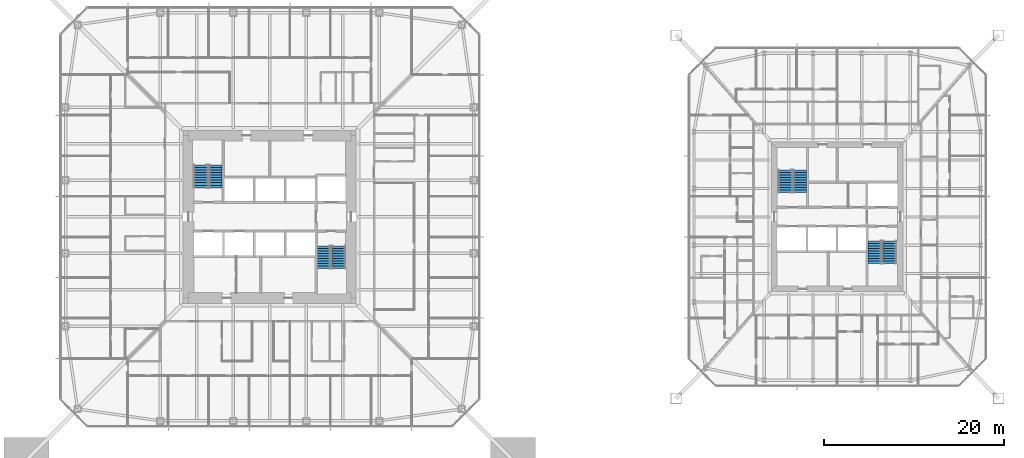
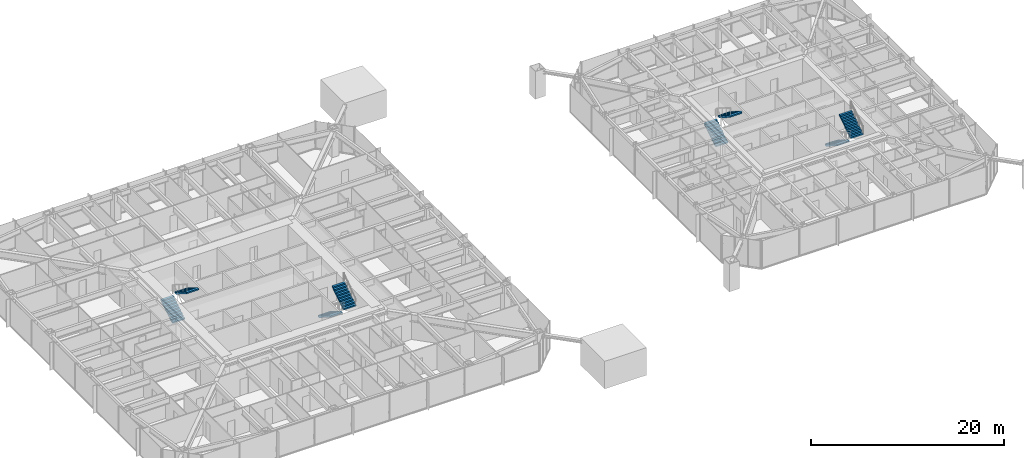
# One storey, part 22 of 26: 8 stair flights, 4 elements without a shape of their own.
"""IFC4 building model written with IfcOpenShell, lengths in metres."""

import ifcopenshell
import ifcopenshell.guid

model = None  # the IFC model being written
_history = None  # IfcOwnerHistory: only IFC2X3 demands one
_inside = {}  # id of a spatial element -> (the spatial element, [elements in it])
_under = {}  # id of a project, library or spatial element -> (it, [spatial elements below it])
_declared = {}  # id of a project -> (the project, [libraries it declares])
_typed = {}  # id of a type object -> (the type object, [elements of that type])
_made_of = {}  # id of a material, layer set ... -> (it, [elements and type objects made of it])


def new_model(schema):
    """Start an empty IFC model of exactly this schema.

    Asked for "IFC4X3", IfcOpenShell would pick the latest addendum, in which some entities
    have other attributes; the version numbers below select the first issue.
    IFC2X3 requires an IfcOwnerHistory on every rooted entity: one is made here for all.
    """
    global model, _history
    if schema == "IFC4X3":
        model = ifcopenshell.file(schema_version=(4, 3, 0, 0))
    else:
        model = ifcopenshell.file(schema=schema)
    _inside.clear()
    _under.clear()
    _declared.clear()
    _typed.clear()
    _made_of.clear()
    _history = None
    if model.schema == "IFC2X3":
        org = make("IfcOrganization", Name="unknown")
        user = make(
            "IfcPersonAndOrganization",
            ThePerson=make("IfcPerson", FamilyName="unknown"),
            TheOrganization=org,
        )
        app = make(
            "IfcApplication",
            ApplicationDeveloper=org,
            Version="unknown",
            ApplicationFullName="unknown",
            ApplicationIdentifier="unknown",
        )
        _history = make(
            "IfcOwnerHistory",
            OwningUser=user,
            OwningApplication=app,
            ChangeAction="ADDED",
            CreationDate=0,
        )
    return model


def make(cls, **values):
    """One entity of the class cls with the attributes given. An attribute that is None is left unset."""
    return model.create_entity(
        cls, **{name: value for name, value in values.items() if value is not None}
    )


def rooted(cls, **values):
    """An entity with a GlobalId (a new one), such as an element, a storey or a relation."""
    return make(cls, GlobalId=ifcopenshell.guid.new(), OwnerHistory=_history, **values)


def si_unit(unit_type, name, prefix=None):
    """IfcSIUnit, for example si_unit("LENGTHUNIT", "METRE", prefix="MILLI")."""
    return make("IfcSIUnit", UnitType=unit_type, Prefix=prefix, Name=name)


def assignment(units):
    """IfcUnitAssignment: the units of a project."""
    return None if units is None else make("IfcUnitAssignment", Units=units)


def point(xyz):
    """IfcCartesianPoint."""
    return None if xyz is None else make("IfcCartesianPoint", Coordinates=xyz)


def direction(xyz):
    """IfcDirection."""
    return None if xyz is None else make("IfcDirection", DirectionRatios=xyz)


def frame(location, z_axis=None, x_axis=None):
    """IfcAxis2Placement3D, a coordinate frame: its origin and axes. An axis left out is left unset."""
    return make(
        "IfcAxis2Placement3D",
        Location=point(location),
        Axis=direction(z_axis),
        RefDirection=direction(x_axis),
    )


def origin():
    """The frame at (0, 0, 0) with its axes left unset."""
    return frame((0.0, 0.0, 0.0))


def place(relative_to, where):
    """IfcLocalPlacement: puts the frame where relative to a parent placement (None: the world)."""
    return make(
        "IfcLocalPlacement", PlacementRelTo=relative_to, RelativePlacement=where
    )


def context(
    kind, dimensions, precision=None, world=None, true_north=None, identifier=None
):
    """IfcGeometricRepresentationContext, for example the 3D "Model" context."""
    return make(
        "IfcGeometricRepresentationContext",
        ContextIdentifier=identifier,
        ContextType=kind,
        CoordinateSpaceDimension=dimensions,
        Precision=precision,
        WorldCoordinateSystem=world,
        TrueNorth=true_north,
    )


def subcontext(parent, identifier, kind, view, scale=None):
    """IfcGeometricRepresentationSubContext, for example "Body" below "Model"."""
    return make(
        "IfcGeometricRepresentationSubContext",
        ContextIdentifier=identifier,
        ContextType=kind,
        ParentContext=parent,
        TargetScale=scale,
        TargetView=view,
    )


def project(units=None, contexts=None):
    """IfcProject with its units and contexts."""
    return rooted(
        "IfcProject",
        Name="project",
        RepresentationContexts=contexts,
        UnitsInContext=assignment(units),
    )


def spatial(cls, under=None, at=None, **own):
    """A site, building, storey or space (cls), placed at a placement, below another one or the project."""
    s = rooted(cls, ObjectPlacement=at, **own)
    if under is not None:
        _under.setdefault(under.id(), (under, []))[1].append(s)
    return s


def polyline(points):
    """IfcPolyline through the points."""
    return make("IfcPolyline", Points=[point(p) for p in points])


def outline(outer, holes=None, kind="AREA"):
    """IfcArbitraryClosedProfileDef: a profile drawn as a closed curve; with holes, ...WithVoids."""
    if holes is None:
        return make("IfcArbitraryClosedProfileDef", ProfileType=kind, OuterCurve=outer)
    return make(
        "IfcArbitraryProfileDefWithVoids",
        ProfileType=kind,
        OuterCurve=outer,
        InnerCurves=holes,
    )


def extrude(swept, where, along, depth):
    """IfcExtrudedAreaSolid: the profile swept, set in the frame where, extruded along a direction by depth."""
    return make(
        "IfcExtrudedAreaSolid",
        SweptArea=swept,
        Position=where,
        ExtrudedDirection=direction(along),
        Depth=depth,
    )


def shape(context_of_items, identifier, shape_type, items):
    """IfcShapeRepresentation: the items that make up one representation, for example the "Body"."""
    return make(
        "IfcShapeRepresentation",
        ContextOfItems=context_of_items,
        RepresentationIdentifier=identifier,
        RepresentationType=shape_type,
        Items=items,
    )


def material(Name=None, Category=None):
    """IfcMaterial."""
    return make("IfcMaterial", Name=Name, Category=Category)


def constituent(of_material, Name=None, Category=None, fraction=None):
    """IfcMaterialConstituent: one of the materials an element consists of."""
    return make(
        "IfcMaterialConstituent",
        Name=Name,
        Material=of_material,
        Fraction=fraction,
        Category=Category,
    )


def constituent_set(constituents=None, Name=None):
    """IfcMaterialConstituentSet."""
    return make(
        "IfcMaterialConstituentSet", Name=Name, MaterialConstituents=constituents
    )


def made_of(thing, what):
    """Note that an element or type object is made of a material, layer set ...; save() writes the relation."""
    if what is not None:
        _made_of.setdefault(what.id(), (what, []))[1].append(thing)
    return thing


def type_object(cls, material=None, **own):
    """A type object (cls), such as IfcWallType, which elements share."""
    return made_of(rooted(cls, **own), material)


def element(
    cls,
    number,
    at=None,
    inside=None,
    cuts=None,
    type_object=None,
    material=None,
    context=None,
    identifier="Body",
    shape_type=None,
    held_by="IfcProductDefinitionShape",
    body=None,
    shapes=None,
    **own,
):
    """One element of the class cls, such as IfcWall. Its Tag is "e" and its number.

    at: its placement. inside: the storey or other place that contains it. cuts: it is an
    opening in that element (IfcRelVoidsElement). A single representation is given by context,
    identifier, shape_type and body (its items); several are given by shapes. held_by: the class
    of the entity that holds the representations. save() writes the other relations.
    """
    e = rooted(cls, Tag="e%d" % number, ObjectPlacement=at, **own)
    if body is not None:
        shapes = [shape(context, identifier, shape_type, body)]
    if shapes is not None:
        e.Representation = make(held_by, Representations=shapes)
    if inside is not None:
        _inside.setdefault(inside.id(), (inside, []))[1].append(e)
    if cuts is not None:
        rooted(
            "IfcRelVoidsElement", RelatingBuildingElement=cuts, RelatedOpeningElement=e
        )
    if type_object is not None:
        _typed.setdefault(type_object.id(), (type_object, []))[1].append(e)
    return made_of(e, material)


def aggregate(whole, parts):
    """IfcRelAggregates: a whole, such as a stair, and the parts it consists of."""
    return rooted("IfcRelAggregates", RelatingObject=whole, RelatedObjects=parts)


def save(model, path):
    """Write the relations noted so far, then the file.

    IfcRelAggregates (storeys below a building ...), IfcRelContainedInSpatialStructure (elements
    in a storey), IfcRelDefinesByType, IfcRelAssociatesMaterial and IfcRelDeclares: one each for
    every whole, place, type object, material and project.
    """
    for whole, parts in _under.values():
        aggregate(whole, parts)
    for where, things in _inside.values():
        rooted(
            "IfcRelContainedInSpatialStructure",
            RelatedElements=things,
            RelatingStructure=where,
        )
    for kind, things in _typed.values():
        rooted("IfcRelDefinesByType", RelatedObjects=things, RelatingType=kind)
    for what, things in _made_of.values():
        rooted("IfcRelAssociatesMaterial", RelatedObjects=things, RelatingMaterial=what)
    for by, libraries in _declared.values():
        rooted("IfcRelDeclares", RelatingContext=by, RelatedDefinitions=libraries)
    model.write(path)


model = new_model("IFC4")

# Units and contexts
model_context = context("Model", 3, precision=1e-05, world=origin(), true_north=direction((0.0, 1.0)))
body_context = subcontext(model_context, "Body", "Model", "MODEL_VIEW")
ifc_project = project(units=[si_unit("LENGTHUNIT", "METRE"), si_unit("AREAUNIT", "SQUARE_METRE"), si_unit("VOLUMEUNIT", "CUBIC_METRE"), si_unit("PLANEANGLEUNIT", "RADIAN"), si_unit("MASSUNIT", "GRAM", prefix="KILO")], contexts=[model_context])

# Site, building, storey
site_placement = place(None, origin())
site = spatial("IfcSite", under=ifc_project, at=site_placement, CompositionType="ELEMENT")
building_placement = place(site_placement, origin())
building = spatial("IfcBuilding", under=site, at=building_placement, Name="Iwan Alto Co-Living Towers", CompositionType="ELEMENT")
storey_placement = place(building_placement, frame((0.0, 0.0, 60.5)))
storey = spatial("IfcBuildingStorey", under=building, at=storey_placement, Name="L16", CompositionType="ELEMENT", Elevation=60.5)

# Stair, stair flights
ifc_material_1 = material(Name="Steel ASTM A36", Category="steel")
ifc_constituent_1 = constituent(ifc_material_1, Name="Stringers", Category="LoadBearing")
ifc_material_2 = material(Name="Concrete f'c 30 MPa", Category="concrete")
ifc_constituent_2 = constituent(ifc_material_2, Name="Tread fill", Category="Finish")
ifc_constituent_set_1 = constituent_set(constituents=[ifc_constituent_1, ifc_constituent_2], Name="STAIR 3500 TWO-FLIGHT T1 CORE")
stair_type_1 = type_object("IfcStairType", Name="STAIR 3500 TWO-FLIGHT T1 CORE", PredefinedType="HALF_TURN_STAIR", material=ifc_constituent_set_1)
stair_1_placement = place(storey_placement, origin())
stair_1 = element("IfcStair", 1, at=stair_1_placement, inside=storey, type_object=stair_type_1, Name="Stair T1-S1 L16 to L17", PredefinedType="HALF_TURN_STAIR")
ifc_constituent_3 = constituent(ifc_material_1, Name="Stringers", Category="LoadBearing")
ifc_constituent_4 = constituent(ifc_material_2, Name="Tread fill", Category="Finish")
ifc_constituent_set_2 = constituent_set(constituents=[ifc_constituent_3, ifc_constituent_4], Name="STAIR FLIGHT 10 RISERS 280 GOING")
stair_flight_type = type_object("IfcStairFlightType", Name="STAIR FLIGHT 10 RISERS 280 GOING", PredefinedType="STRAIGHT", material=ifc_constituent_set_2)
stair_flight_1_placement = place(storey_placement, frame((-7.68994140625, 3.219970703125, 0.0), z_axis=(0.0, 0.0, 1.0), x_axis=(0.0, 1.0, 0.0)))
stair_flight_1 = element("IfcStairFlight", 2, at=stair_flight_1_placement, type_object=stair_flight_type, Name="T1-S1 flight 1", NumberOfRisers=10, NumberOfTreads=9, PredefinedType="STRAIGHT", RiserHeight=0.175, TreadLength=0.28, context=body_context, shape_type="SweptSolid", body=[
    extrude(outline(polyline([(0.0, 0.0), (0.0, 0.175048828125), (0.280029296875, 0.175048828125), (0.280029296875, 0.35009765625), (0.56005859375, 0.35009765625), (0.56005859375, 0.52490234375), (0.840087890625, 0.52490234375), (0.840087890625, 0.699951171875), (1.1201171875, 0.699951171875), (1.1201171875, 0.875), (1.39990234375, 0.875), (1.39990234375, 1.050048828125), (1.679931640625, 1.050048828125), (1.679931640625, 1.22509765625), (1.9599609375, 1.22509765625), (1.9599609375, 1.39990234375), (2.239990234375, 1.39990234375), (2.239990234375, 1.574951171875), (2.52001953125, 1.574951171875), (2.52001953125, 1.75), (2.52001953125, 1.398193359375), (0.28271484375, 0.0), (0.0, 0.0)])), frame((0.0, 0.739990234375, 0.0), z_axis=(0.0, -1.0, 0.0), x_axis=(1.0, 0.0, 0.0)), (0.0, 0.0, 1.0), 1.47998046875),
])
stair_flight_2_placement = place(storey_placement, frame((-6.010009765625, 5.739990234375, 1.75), z_axis=(0.0, 0.0, 1.0), x_axis=(0.0, -1.0, 0.0)))
stair_flight_2 = element("IfcStairFlight", 3, at=stair_flight_2_placement, type_object=stair_flight_type, Name="T1-S1 flight 2", NumberOfRisers=10, NumberOfTreads=9, PredefinedType="STRAIGHT", RiserHeight=0.175, TreadLength=0.28, context=body_context, shape_type="SweptSolid", body=[
    extrude(outline(polyline([(0.0, 0.0), (0.0, 0.175048828125), (0.280029296875, 0.175048828125), (0.280029296875, 0.35009765625), (0.56005859375, 0.35009765625), (0.56005859375, 0.52490234375), (0.840087890625, 0.52490234375), (0.840087890625, 0.699951171875), (1.1201171875, 0.699951171875), (1.1201171875, 0.875), (1.39990234375, 0.875), (1.39990234375, 1.050048828125), (1.679931640625, 1.050048828125), (1.679931640625, 1.22509765625), (1.9599609375, 1.22509765625), (1.9599609375, 1.39990234375), (2.239990234375, 1.39990234375), (2.239990234375, 1.574951171875), (2.52001953125, 1.574951171875), (2.52001953125, 1.75), (2.52001953125, 1.398193359375), (0.28271484375, 0.0), (0.0, 0.0)])), frame((0.0, 0.739990234375, 0.0), z_axis=(0.0, -1.0, 0.0), x_axis=(1.0, 0.0, 0.0)), (0.0, 0.0, 1.0), 1.47998046875),
])
aggregate(stair_1, [stair_flight_1, stair_flight_2])

stair_2_placement = place(storey_placement, origin())
stair_2 = element("IfcStair", 4, at=stair_2_placement, inside=storey, type_object=stair_type_1, Name="Stair T1-S2 L16 to L17", PredefinedType="HALF_TURN_STAIR")
stair_flight_3_placement = place(storey_placement, frame((6.010009765625, -3.219970703125, 0.0), z_axis=(0.0, 0.0, 1.0), x_axis=(0.0, -1.0, 0.0)))
stair_flight_3 = element("IfcStairFlight", 5, at=stair_flight_3_placement, type_object=stair_flight_type, Name="T1-S2 flight 1", NumberOfRisers=10, NumberOfTreads=9, PredefinedType="STRAIGHT", RiserHeight=0.175, TreadLength=0.28, context=body_context, shape_type="SweptSolid", body=[
    extrude(outline(polyline([(0.0, 0.0), (0.0, 0.175048828125), (0.280029296875, 0.175048828125), (0.280029296875, 0.35009765625), (0.56005859375, 0.35009765625), (0.56005859375, 0.52490234375), (0.840087890625, 0.52490234375), (0.840087890625, 0.699951171875), (1.1201171875, 0.699951171875), (1.1201171875, 0.875), (1.39990234375, 0.875), (1.39990234375, 1.050048828125), (1.679931640625, 1.050048828125), (1.679931640625, 1.22509765625), (1.9599609375, 1.22509765625), (1.9599609375, 1.39990234375), (2.239990234375, 1.39990234375), (2.239990234375, 1.574951171875), (2.52001953125, 1.574951171875), (2.52001953125, 1.75), (2.52001953125, 1.398193359375), (0.28271484375, 0.0), (0.0, 0.0)])), frame((0.0, 0.739990234375, 0.0), z_axis=(0.0, -1.0, 0.0), x_axis=(1.0, 0.0, 0.0)), (0.0, 0.0, 1.0), 1.47998046875),
])
stair_flight_4_placement = place(storey_placement, frame((7.68994140625, -5.739990234375, 1.75), z_axis=(0.0, 0.0, 1.0), x_axis=(0.0, 1.0, 0.0)))
stair_flight_4 = element("IfcStairFlight", 6, at=stair_flight_4_placement, type_object=stair_flight_type, Name="T1-S2 flight 2", NumberOfRisers=10, NumberOfTreads=9, PredefinedType="STRAIGHT", RiserHeight=0.175, TreadLength=0.28, context=body_context, shape_type="SweptSolid", body=[
    extrude(outline(polyline([(0.0, 0.0), (0.0, 0.175048828125), (0.280029296875, 0.175048828125), (0.280029296875, 0.35009765625), (0.56005859375, 0.35009765625), (0.56005859375, 0.52490234375), (0.840087890625, 0.52490234375), (0.840087890625, 0.699951171875), (1.1201171875, 0.699951171875), (1.1201171875, 0.875), (1.39990234375, 0.875), (1.39990234375, 1.050048828125), (1.679931640625, 1.050048828125), (1.679931640625, 1.22509765625), (1.9599609375, 1.22509765625), (1.9599609375, 1.39990234375), (2.239990234375, 1.39990234375), (2.239990234375, 1.574951171875), (2.52001953125, 1.574951171875), (2.52001953125, 1.75), (2.52001953125, 1.398193359375), (0.28271484375, 0.0), (0.0, 0.0)])), frame((0.0, 0.739990234375, 0.0), z_axis=(0.0, -1.0, 0.0), x_axis=(1.0, 0.0, 0.0)), (0.0, 0.0, 1.0), 1.47998046875),
])
aggregate(stair_2, [stair_flight_3, stair_flight_4])

ifc_constituent_5 = constituent(ifc_material_1, Name="Stringers", Category="LoadBearing")
ifc_constituent_6 = constituent(ifc_material_2, Name="Tread fill", Category="Finish")
ifc_constituent_set_3 = constituent_set(constituents=[ifc_constituent_5, ifc_constituent_6], Name="STAIR 3500 TWO-FLIGHT T2 CORE")
stair_type_2 = type_object("IfcStairType", Name="STAIR 3500 TWO-FLIGHT T2 CORE", PredefinedType="HALF_TURN_STAIR", material=ifc_constituent_set_3)
stair_3_placement = place(storey_placement, origin())
stair_3 = element("IfcStair", 7, at=stair_3_placement, inside=storey, type_object=stair_type_2, Name="Stair T2-S1 L16 to L17", PredefinedType="HALF_TURN_STAIR")
stair_flight_5_placement = place(storey_placement, frame((57.159912109375, 2.669921875, 0.0), z_axis=(0.0, 0.0, 1.0), x_axis=(0.0, 1.0, 0.0)))
stair_flight_5 = element("IfcStairFlight", 8, at=stair_flight_5_placement, type_object=stair_flight_type, Name="T2-S1 flight 1", NumberOfRisers=10, NumberOfTreads=9, PredefinedType="STRAIGHT", RiserHeight=0.175, TreadLength=0.28, context=body_context, shape_type="SweptSolid", body=[
    extrude(outline(polyline([(0.0, 0.0), (0.0, 0.175048828125), (0.280029296875, 0.175048828125), (0.280029296875, 0.35009765625), (0.56005859375, 0.35009765625), (0.56005859375, 0.52490234375), (0.840087890625, 0.52490234375), (0.840087890625, 0.699951171875), (1.1201171875, 0.699951171875), (1.1201171875, 0.875), (1.39990234375, 0.875), (1.39990234375, 1.050048828125), (1.679931640625, 1.050048828125), (1.679931640625, 1.22509765625), (1.9599609375, 1.22509765625), (1.9599609375, 1.39990234375), (2.239990234375, 1.39990234375), (2.239990234375, 1.574951171875), (2.52001953125, 1.574951171875), (2.52001953125, 1.75), (2.52001953125, 1.398193359375), (0.28271484375, 0.0), (0.0, 0.0)])), frame((0.0, 0.739990234375, 0.0), z_axis=(0.0, -1.0, 0.0), x_axis=(1.0, 0.0, 0.0)), (0.0, 0.0, 1.0), 1.47998046875),
])
stair_flight_6_placement = place(storey_placement, frame((58.840087890625, 5.18994140625, 1.75), z_axis=(0.0, 0.0, 1.0), x_axis=(0.0, -1.0, 0.0)))
stair_flight_6 = element("IfcStairFlight", 9, at=stair_flight_6_placement, type_object=stair_flight_type, Name="T2-S1 flight 2", NumberOfRisers=10, NumberOfTreads=9, PredefinedType="STRAIGHT", RiserHeight=0.175, TreadLength=0.28, context=body_context, shape_type="SweptSolid", body=[
    extrude(outline(polyline([(0.0, 0.0), (0.0, 0.175048828125), (0.280029296875, 0.175048828125), (0.280029296875, 0.35009765625), (0.56005859375, 0.35009765625), (0.56005859375, 0.52490234375), (0.840087890625, 0.52490234375), (0.840087890625, 0.699951171875), (1.1201171875, 0.699951171875), (1.1201171875, 0.875), (1.39990234375, 0.875), (1.39990234375, 1.050048828125), (1.679931640625, 1.050048828125), (1.679931640625, 1.22509765625), (1.9599609375, 1.22509765625), (1.9599609375, 1.39990234375), (2.239990234375, 1.39990234375), (2.239990234375, 1.574951171875), (2.52001953125, 1.574951171875), (2.52001953125, 1.75), (2.52001953125, 1.398193359375), (0.28271484375, 0.0), (0.0, 0.0)])), frame((0.0, 0.739990234375, 0.0), z_axis=(0.0, -1.0, 0.0), x_axis=(1.0, 0.0, 0.0)), (0.0, 0.0, 1.0), 1.47998046875),
])
aggregate(stair_3, [stair_flight_5, stair_flight_6])

stair_4_placement = place(storey_placement, origin())
stair_4 = element("IfcStair", 10, at=stair_4_placement, inside=storey, type_object=stair_type_2, Name="Stair T2-S2 L16 to L17", PredefinedType="HALF_TURN_STAIR")
stair_flight_7_placement = place(storey_placement, frame((67.159912109375, -2.669921875, 0.0), z_axis=(0.0, 0.0, 1.0), x_axis=(0.0, -1.0, 0.0)))
stair_flight_7 = element("IfcStairFlight", 11, at=stair_flight_7_placement, type_object=stair_flight_type, Name="T2-S2 flight 1", NumberOfRisers=10, NumberOfTreads=9, PredefinedType="STRAIGHT", RiserHeight=0.175, TreadLength=0.28, context=body_context, shape_type="SweptSolid", body=[
    extrude(outline(polyline([(0.0, 0.0), (0.0, 0.175048828125), (0.280029296875, 0.175048828125), (0.280029296875, 0.35009765625), (0.56005859375, 0.35009765625), (0.56005859375, 0.52490234375), (0.840087890625, 0.52490234375), (0.840087890625, 0.699951171875), (1.1201171875, 0.699951171875), (1.1201171875, 0.875), (1.39990234375, 0.875), (1.39990234375, 1.050048828125), (1.679931640625, 1.050048828125), (1.679931640625, 1.22509765625), (1.9599609375, 1.22509765625), (1.9599609375, 1.39990234375), (2.239990234375, 1.39990234375), (2.239990234375, 1.574951171875), (2.52001953125, 1.574951171875), (2.52001953125, 1.75), (2.52001953125, 1.398193359375), (0.28271484375, 0.0), (0.0, 0.0)])), frame((0.0, 0.739990234375, 0.0), z_axis=(0.0, -1.0, 0.0), x_axis=(1.0, 0.0, 0.0)), (0.0, 0.0, 1.0), 1.47998046875),
])
stair_flight_8_placement = place(storey_placement, frame((68.840087890625, -5.18994140625, 1.75), z_axis=(0.0, 0.0, 1.0), x_axis=(0.0, 1.0, 0.0)))
stair_flight_8 = element("IfcStairFlight", 12, at=stair_flight_8_placement, type_object=stair_flight_type, Name="T2-S2 flight 2", NumberOfRisers=10, NumberOfTreads=9, PredefinedType="STRAIGHT", RiserHeight=0.175, TreadLength=0.28, context=body_context, shape_type="SweptSolid", body=[
    extrude(outline(polyline([(0.0, 0.0), (0.0, 0.175048828125), (0.280029296875, 0.175048828125), (0.280029296875, 0.35009765625), (0.56005859375, 0.35009765625), (0.56005859375, 0.52490234375), (0.840087890625, 0.52490234375), (0.840087890625, 0.699951171875), (1.1201171875, 0.699951171875), (1.1201171875, 0.875), (1.39990234375, 0.875), (1.39990234375, 1.050048828125), (1.679931640625, 1.050048828125), (1.679931640625, 1.22509765625), (1.9599609375, 1.22509765625), (1.9599609375, 1.39990234375), (2.239990234375, 1.39990234375), (2.239990234375, 1.574951171875), (2.52001953125, 1.574951171875), (2.52001953125, 1.75), (2.52001953125, 1.398193359375), (0.28271484375, 0.0), (0.0, 0.0)])), frame((0.0, 0.739990234375, 0.0), z_axis=(0.0, -1.0, 0.0), x_axis=(1.0, 0.0, 0.0)), (0.0, 0.0, 1.0), 1.47998046875),
])
aggregate(stair_4, [stair_flight_7, stair_flight_8])

save(model, "model.ifc")
